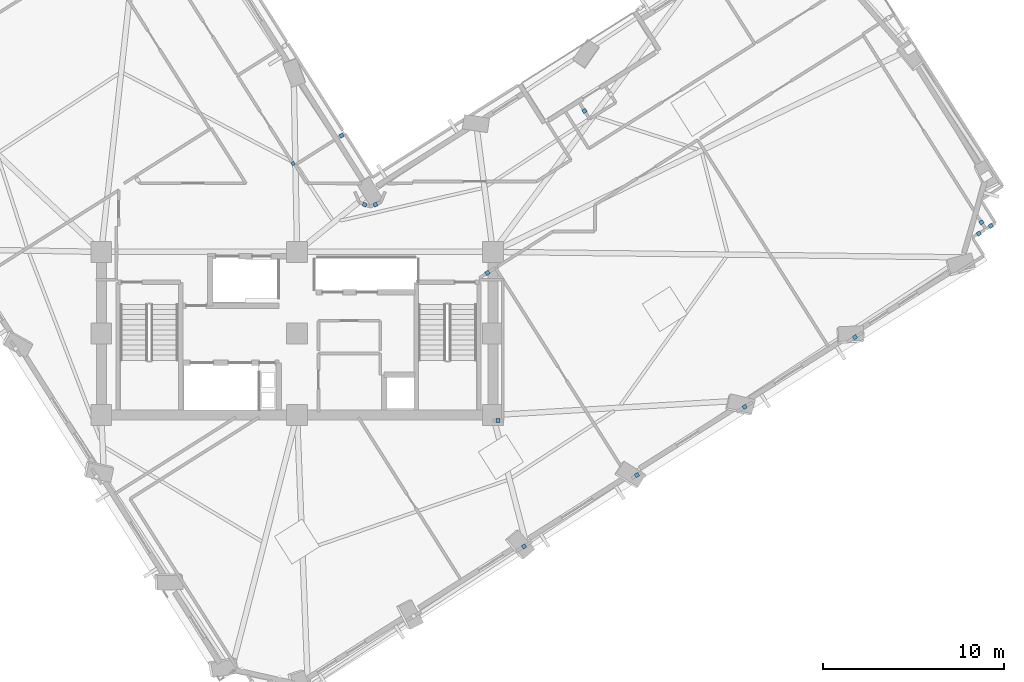
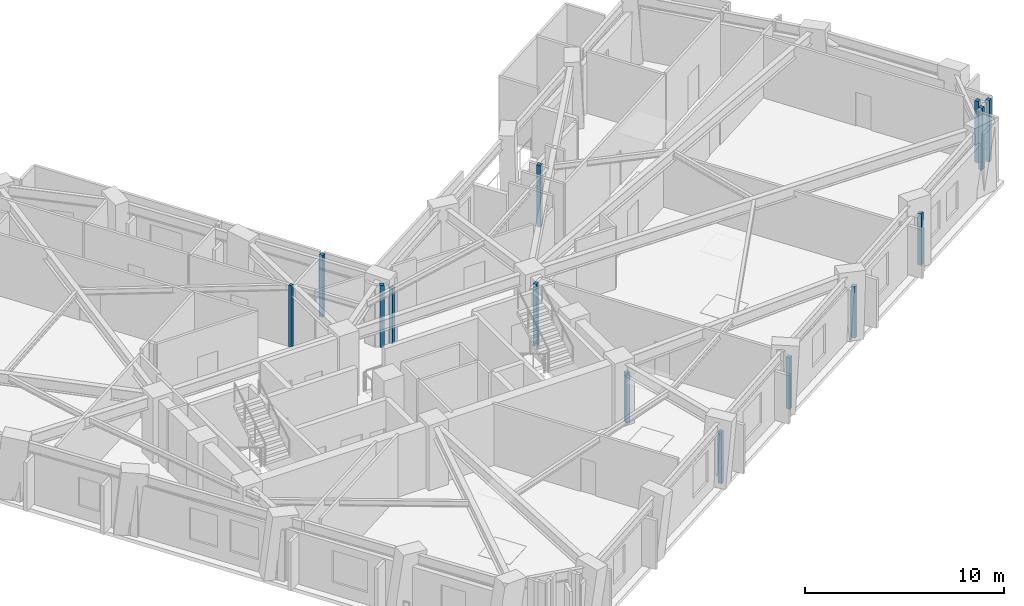
# One storey, part 3 of 14: 14 plates.
"""IFC4 building model written with IfcOpenShell, lengths in metres."""

from ifc_helpers import new_model, si_unit, direction, frame, origin, origin_2d, place, context, subcontext, project, spatial, rectangle, extrude, material, layer, layer_set, type_object, element, save


model = new_model("IFC4")

# Units and contexts
model_context = context("Model", 3, precision=1e-05, world=origin(), true_north=direction((0.0, 1.0)))
body_context = subcontext(model_context, "Body", "Model", "MODEL_VIEW")
ifc_project = project(units=[si_unit("LENGTHUNIT", "METRE"), si_unit("AREAUNIT", "SQUARE_METRE"), si_unit("VOLUMEUNIT", "CUBIC_METRE"), si_unit("PLANEANGLEUNIT", "RADIAN"), si_unit("MASSUNIT", "GRAM", prefix="KILO")], contexts=[model_context])

# Site, building, storey
site_placement = place(None, origin())
site = spatial("IfcSite", under=ifc_project, at=site_placement, CompositionType="ELEMENT")
building_placement = place(site_placement, origin())
building = spatial("IfcBuilding", under=site, at=building_placement, Name="Gaonmaruhae Medical Tower", CompositionType="ELEMENT")
storey_placement = place(building_placement, frame((0.0, 0.0, 161.800048828125)))
storey = spatial("IfcBuildingStorey", under=building, at=storey_placement, Name="L38", CompositionType="ELEMENT", Elevation=161.800048828125)

# Plates
ifc_material = material(Name="Anodised aluminium 6063-T6", Category="aluminium")
ifc_layer = layer(ifc_material, 0.011962890625)
ifc_layer_set = layer_set([ifc_layer], Name="Anodised aluminium 6063-T6")
plate_type = type_object("IfcPlateType", Name="PP-01 Interior Partition Corner Stiffener Plate", PredefinedType="SHEET", material=ifc_layer_set)
plate_1_placement = place(storey_placement, frame((24.57373046875, 21.67333984375, 0.0), z_axis=(0.0, 0.0, 1.0), x_axis=(-0.534249077188, 0.845327110368, 0.0)))
element("IfcPlate", 1, at=plate_1_placement, inside=storey, type_object=plate_type, Name="L38 Partition End Jamb Post Plate PLT-L38-ENDP-PW083-0", PredefinedType="SHEET", context=body_context, shape_type="SweptSolid", body=[
    extrude(rectangle(XDim=0.179931640625, YDim=0.179931640625, at=origin_2d()), origin(), (0.0, 0.0, 1.0), 3.780029296875),
])
plate_2_placement = place(storey_placement, frame((35.29541015625, 15.638427734375, 0.0), z_axis=(0.0, 0.0, 1.0), x_axis=(0.845373729177, 0.534175306447, 0.0)))
element("IfcPlate", 2, at=plate_2_placement, inside=storey, type_object=plate_type, Name="L38 Partition Corner Stiffener Plate PLT-L38-JGP-PW016", PredefinedType="SHEET", context=body_context, shape_type="SweptSolid", body=[
    extrude(rectangle(XDim=0.219970703125, YDim=0.219970703125, at=origin_2d()), origin(), (0.0, 0.0, 1.0), 3.780029296875),
])
plate_3_placement = place(storey_placement, frame((37.31591796875, 0.553955078125, 0.0), z_axis=(0.0, 0.0, 1.0), x_axis=(-0.845000598479, -0.534765358423, 0.0)))
element("IfcPlate", 3, at=plate_3_placement, inside=storey, type_object=plate_type, Name="L38 Partition Corner Stiffener Plate PLT-L38-JGP-PW018", PredefinedType="SHEET", context=body_context, shape_type="SweptSolid", body=[
    extrude(rectangle(XDim=0.219970703125, YDim=0.219970703125, at=origin_2d()), origin(), (0.0, 0.0, 1.0), 3.1650390625),
])
plate_4_placement = place(storey_placement, frame((35.875, 7.5, 0.0), z_axis=(0.0, 0.0, 1.0), x_axis=(1.0, 0.0, 0.0)))
element("IfcPlate", 4, at=plate_4_placement, inside=storey, type_object=plate_type, Name="L38 Partition Corner Stiffener Plate PLT-L38-JGP-PW019", PredefinedType="SHEET", context=body_context, shape_type="SweptSolid", body=[
    extrude(rectangle(XDim=0.219970703125, YDim=0.219970703125, at=origin_2d()), origin(), (0.0, 0.0, 1.0), 3.06494140625),
])
for number, where, z_axis, x_axis, name in (
    (5, (49.487060546875, 8.24853515625, 0.0), (0.0, 0.0, 1.0), (-0.84502859757, -0.534721113562, 0.0), "L38 Partition Corner Stiffener Plate PLT-L38-JGP-PW024"),
    (6, (43.5439453125, 4.490966796875, 0.0), (0.0, 0.0, 1.0), (-0.845420341547, -0.534101531638, 0.0), "L38 Partition Corner Stiffener Plate PLT-L38-JGP-PW025"),
):
    element("IfcPlate", number, at=place(storey_placement, frame(where, z_axis=z_axis, x_axis=x_axis)), inside=storey, type_object=plate_type, Name=name, PredefinedType="SHEET", context=body_context, shape_type="SweptSolid", body=[
        extrude(rectangle(XDim=0.219970703125, YDim=0.219970703125, at=origin_2d()), origin(), (0.0, 0.0, 1.0), 3.1650390625),
    ])
for number, where, z_axis, x_axis, name in (
    (7, (62.547607421875, 18.430908203125, 0.0), (0.0, 0.0, 1.0), (0.534204815232, -0.845355082426, 0.0), "L38 Partition Corner Stiffener Plate PLT-L38-JGP-PW030"),
    (8, (62.400390625, 17.8076171875, 0.0), (0.0, 0.0, 1.0), (-0.845578775446, -0.533850666867, 0.0), "L38 Partition Corner Stiffener Plate PLT-L38-JGP-PW031"),
):
    element("IfcPlate", number, at=place(storey_placement, frame(where, z_axis=z_axis, x_axis=x_axis)), inside=storey, type_object=plate_type, Name=name, PredefinedType="SHEET", context=body_context, shape_type="SweptSolid", body=[
        extrude(rectangle(XDim=0.219970703125, YDim=0.219970703125, at=origin_2d()), origin(), (0.0, 0.0, 1.0), 3.780029296875),
    ])
plate_5_placement = place(storey_placement, frame((55.572509765625, 12.094970703125, 0.0), z_axis=(0.0, 0.0, 1.0), x_axis=(-0.845392374897, -0.534145797012, 0.0)))
element("IfcPlate", 9, at=plate_5_placement, inside=storey, type_object=plate_type, Name="L38 Partition Corner Stiffener Plate PLT-L38-JGP-PW034", PredefinedType="SHEET", context=body_context, shape_type="SweptSolid", body=[
    extrude(rectangle(XDim=0.219970703125, YDim=0.219970703125, at=origin_2d()), origin(), (0.0, 0.0, 1.0), 3.1650390625),
])
plate_6_placement = place(storey_placement, frame((29.118408203125, 19.407958984375, 0.0), z_axis=(0.0, 0.0, 1.0), x_axis=(-0.923866173777, -0.382715681611, 0.0)))
element("IfcPlate", 10, at=plate_6_placement, inside=storey, type_object=plate_type, Name="L38 Partition Corner Stiffener Plate PLT-L38-JGP-PW053", PredefinedType="SHEET", context=body_context, shape_type="SweptSolid", body=[
    extrude(rectangle(XDim=0.219970703125, YDim=0.219970703125, at=origin_2d()), origin(), (0.0, 0.0, 1.0), 3.4150390625),
])
for number, where, z_axis, x_axis, name in (
    (11, (28.529052734375, 19.407958984375, 0.0), (0.0, 0.0, 1.0), (-0.924093119157, 0.382167381036, 0.0), "L38 Partition Corner Stiffener Plate PLT-L38-JGP-PW054"),
    (12, (27.2490234375, 23.21044921875, 0.0), (0.0, 0.0, 1.0), (0.844888578952, 0.534942323205, 0.0), "L38 Partition Corner Stiffener Plate PLT-L38-JGP-PW059"),
    (13, (40.656982421875, 24.572998046875, 0.0), (0.0, 0.0, 1.0), (0.534426110365, -0.845215198964, 0.0), "L38 Partition Corner Stiffener Plate PLT-L38-JGP-PW071"),
    (14, (63.06396484375, 18.22705078125, 0.0), (0.0, 0.0, 1.0), (-0.845802320102, -0.533496424834, 0.0), "L38 Partition Corner Stiffener Plate PLT-L38-JGP-PW102"),
):
    element("IfcPlate", number, at=place(storey_placement, frame(where, z_axis=z_axis, x_axis=x_axis)), inside=storey, type_object=plate_type, Name=name, PredefinedType="SHEET", context=body_context, shape_type="SweptSolid", body=[
        extrude(rectangle(XDim=0.219970703125, YDim=0.219970703125, at=origin_2d()), origin(), (0.0, 0.0, 1.0), 3.780029296875),
    ])

save(model, "model.ifc")
